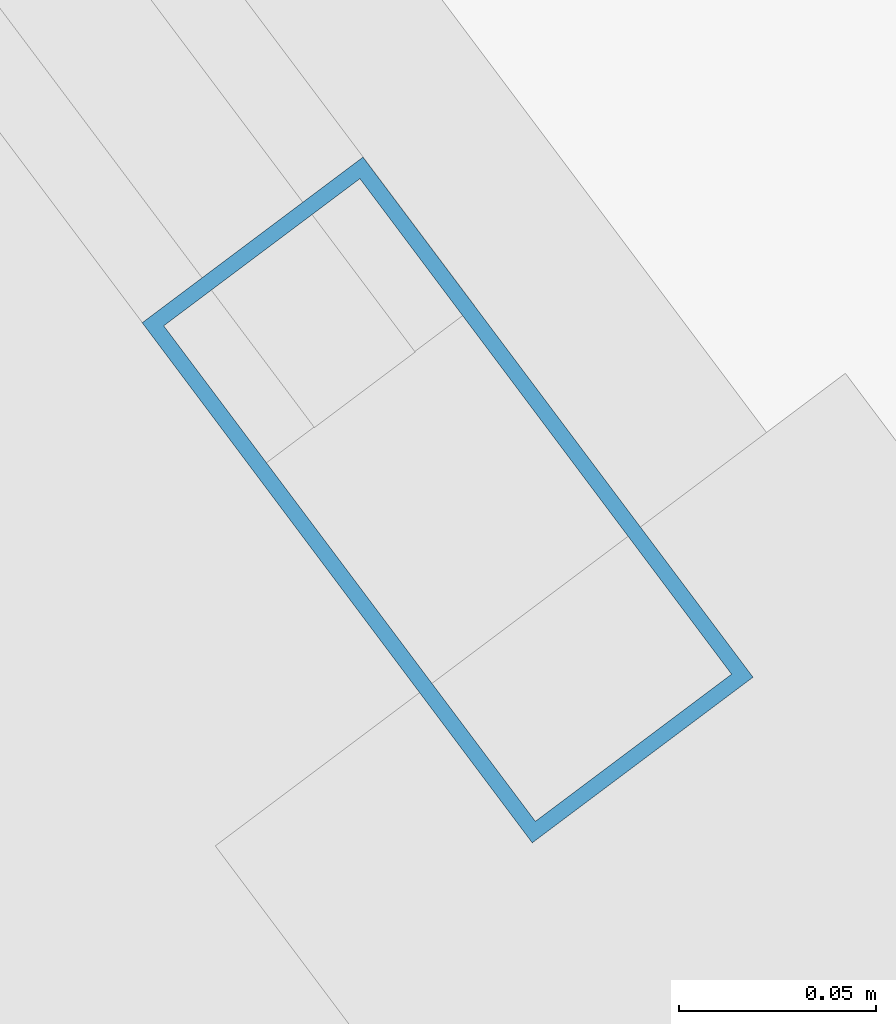
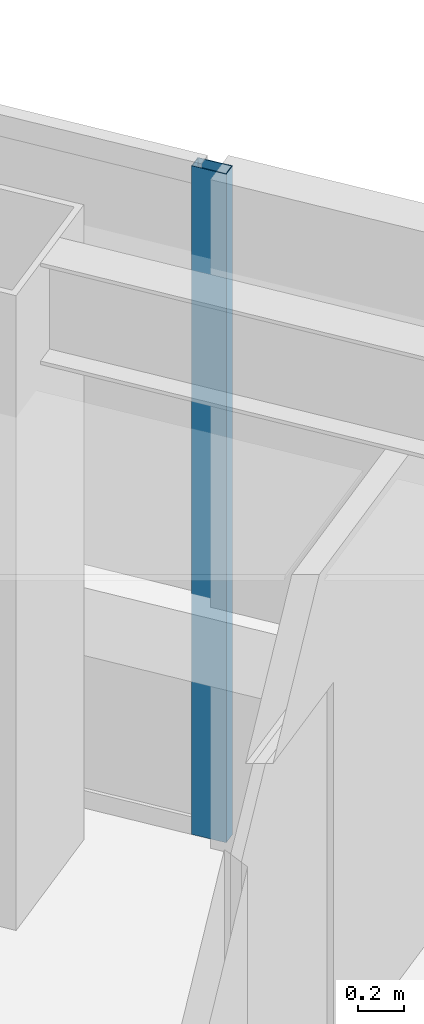
# One storey, part 35 of 47: 1 member, 1 element without a shape of its own.
"""IFC4 building model written with IfcOpenShell, lengths in metres."""

from ifc_helpers import new_model, si_unit, direction, frame, origin, origin_2d, place, context, subcontext, project, spatial, hollow_rectangle, extrude, material, material_profile, profile_set, type_object, element, aggregate, save


model = new_model("IFC4")

# Units and contexts
model_context = context("Model", 3, precision=1e-05, world=origin(), true_north=direction((0.0, 1.0)))
body_context = subcontext(model_context, "Body", "Model", "MODEL_VIEW")
ifc_project = project(units=[si_unit("LENGTHUNIT", "METRE"), si_unit("AREAUNIT", "SQUARE_METRE"), si_unit("VOLUMEUNIT", "CUBIC_METRE"), si_unit("PLANEANGLEUNIT", "RADIAN"), si_unit("MASSUNIT", "GRAM", prefix="KILO")], contexts=[model_context])

# Site, building, storey
site_placement = place(None, origin())
site = spatial("IfcSite", under=ifc_project, at=site_placement, CompositionType="ELEMENT")
building_placement = place(site_placement, origin())
building = spatial("IfcBuilding", under=site, at=building_placement, Name="Tashvorn Skyway Center", CompositionType="ELEMENT")
storey_placement = place(building_placement, frame((0.0, 0.0, 204.199951171875)))
storey = spatial("IfcBuildingStorey", under=building, at=storey_placement, Name="L55", CompositionType="ELEMENT", Elevation=204.199951171875)

# Curtain wall, member
ifc_material = material(Name="Thermally broken bronze-anodized aluminium 6063-T6", Category="aluminium")
curtain_wall_type = type_object("IfcCurtainWallType", Name="CW-CW-Z5", PredefinedType="NOTDEFINED", material=ifc_material)
curtain_wall_placement = place(storey_placement, origin())
curtain_wall = element("IfcCurtainWall", 1, at=curtain_wall_placement, inside=storey, type_object=curtain_wall_type, Name="Tower 2 L55 East Unitised Curtain Wall Glazing Group 1", PredefinedType="NOTDEFINED")
ifc_material_profile = material_profile(ifc_material, hollow_rectangle(XDim=0.070068359375, YDim=0.1650390625, WallThickness=0.00390625, at=origin_2d()), Name="ALU-MULL-70x165")
ifc_profile_set = profile_set([ifc_material_profile], Name="Thermally broken bronze-anodized aluminium 6063-T6")
member_type = type_object("IfcMemberType", Name="CWM-CW-Z5", PredefinedType="MULLION", material=ifc_profile_set)
member_placement = place(storey_placement, frame((123.6669921875, 44.91064453125, 0.0), z_axis=(0.0, 0.0, 1.0), x_axis=(0.799998664683, 0.600001780418, 0.0)))
member = element("IfcMember", 2, at=member_placement, type_object=member_type, Name="CW-Z5 mullion 2", PredefinedType="MULLION", context=body_context, shape_type="SweptSolid", body=[
    extrude(hollow_rectangle(XDim=0.070068359375, YDim=0.1650390625, WallThickness=0.00390625, at=origin_2d()), origin(), (0.0, 0.0, 1.0), 3.550048828125),
])
aggregate(curtain_wall, [member])

save(model, "model.ifc")
